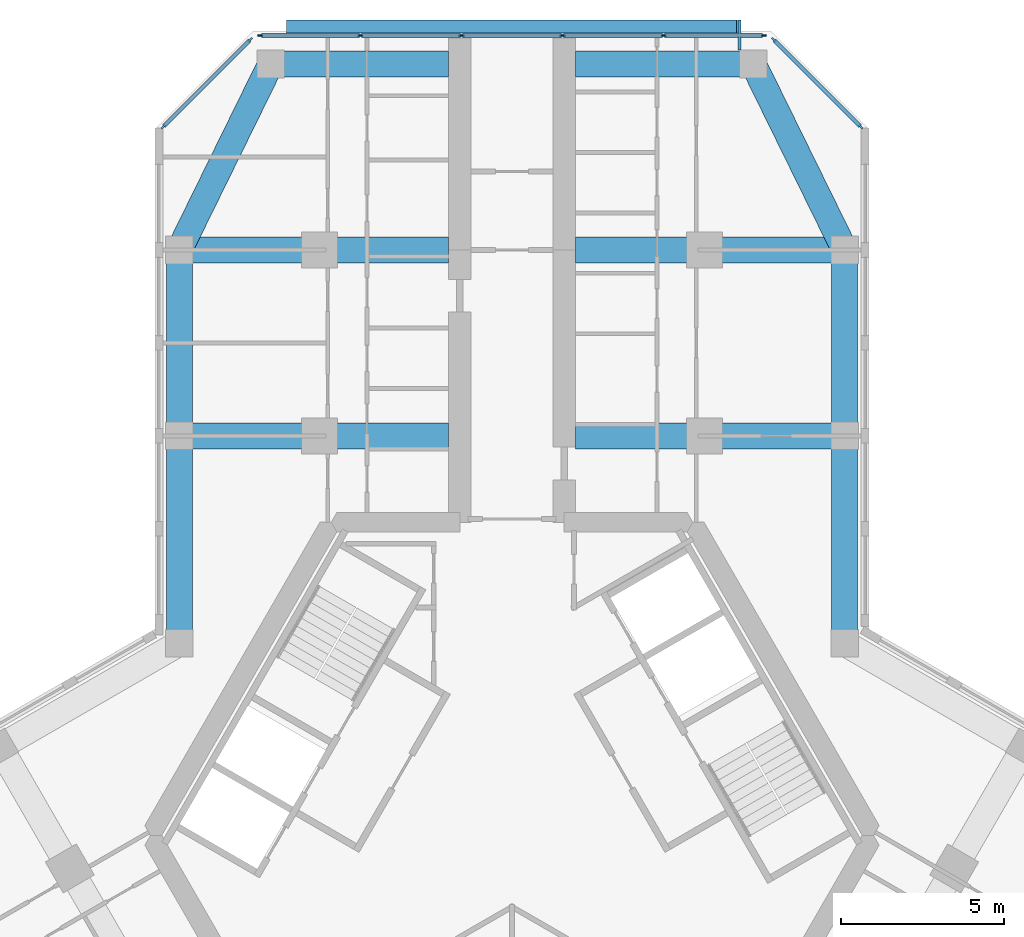
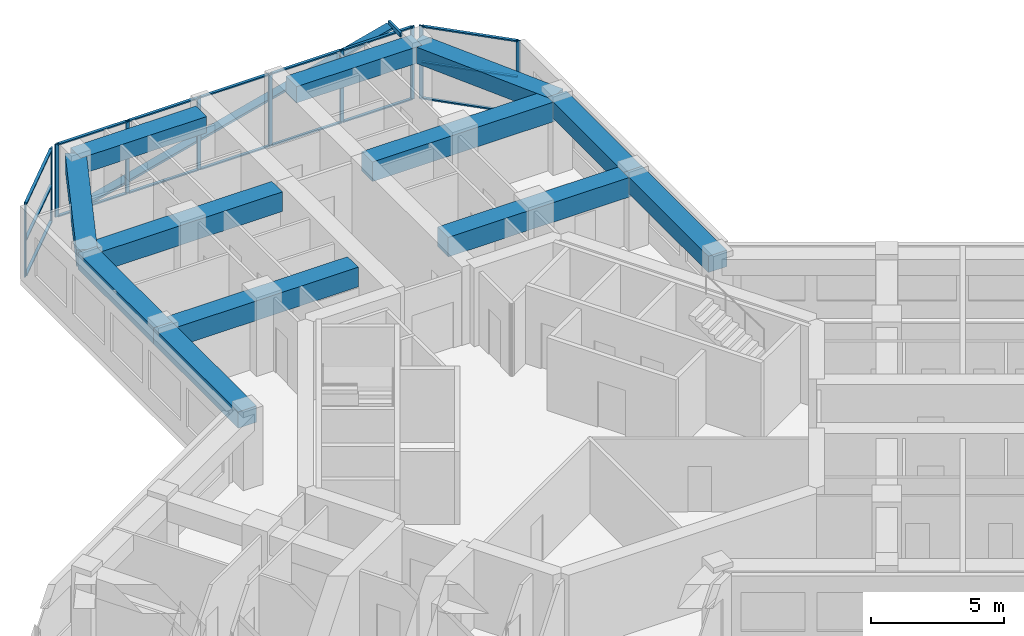
# One storey, part 6 of 16: 28 members, 12 beams, 3 elements without a shape of their own.
"""IFC4 building model written with IfcOpenShell, lengths in metres."""

import ifcopenshell
import ifcopenshell.guid

model = None  # the IFC model being written
_history = None  # IfcOwnerHistory: only IFC2X3 demands one
_inside = {}  # id of a spatial element -> (the spatial element, [elements in it])
_under = {}  # id of a project, library or spatial element -> (it, [spatial elements below it])
_declared = {}  # id of a project -> (the project, [libraries it declares])
_typed = {}  # id of a type object -> (the type object, [elements of that type])
_made_of = {}  # id of a material, layer set ... -> (it, [elements and type objects made of it])


def new_model(schema):
    """Start an empty IFC model of exactly this schema.

    Asked for "IFC4X3", IfcOpenShell would pick the latest addendum, in which some entities
    have other attributes; the version numbers below select the first issue.
    IFC2X3 requires an IfcOwnerHistory on every rooted entity: one is made here for all.
    """
    global model, _history
    if schema == "IFC4X3":
        model = ifcopenshell.file(schema_version=(4, 3, 0, 0))
    else:
        model = ifcopenshell.file(schema=schema)
    _inside.clear()
    _under.clear()
    _declared.clear()
    _typed.clear()
    _made_of.clear()
    _history = None
    if model.schema == "IFC2X3":
        org = make("IfcOrganization", Name="unknown")
        user = make(
            "IfcPersonAndOrganization",
            ThePerson=make("IfcPerson", FamilyName="unknown"),
            TheOrganization=org,
        )
        app = make(
            "IfcApplication",
            ApplicationDeveloper=org,
            Version="unknown",
            ApplicationFullName="unknown",
            ApplicationIdentifier="unknown",
        )
        _history = make(
            "IfcOwnerHistory",
            OwningUser=user,
            OwningApplication=app,
            ChangeAction="ADDED",
            CreationDate=0,
        )
    return model


def make(cls, **values):
    """One entity of the class cls with the attributes given. An attribute that is None is left unset."""
    return model.create_entity(
        cls, **{name: value for name, value in values.items() if value is not None}
    )


def rooted(cls, **values):
    """An entity with a GlobalId (a new one), such as an element, a storey or a relation."""
    return make(cls, GlobalId=ifcopenshell.guid.new(), OwnerHistory=_history, **values)


def si_unit(unit_type, name, prefix=None):
    """IfcSIUnit, for example si_unit("LENGTHUNIT", "METRE", prefix="MILLI")."""
    return make("IfcSIUnit", UnitType=unit_type, Prefix=prefix, Name=name)


def assignment(units):
    """IfcUnitAssignment: the units of a project."""
    return None if units is None else make("IfcUnitAssignment", Units=units)


def point(xyz):
    """IfcCartesianPoint."""
    return None if xyz is None else make("IfcCartesianPoint", Coordinates=xyz)


def direction(xyz):
    """IfcDirection."""
    return None if xyz is None else make("IfcDirection", DirectionRatios=xyz)


def frame(location, z_axis=None, x_axis=None):
    """IfcAxis2Placement3D, a coordinate frame: its origin and axes. An axis left out is left unset."""
    return make(
        "IfcAxis2Placement3D",
        Location=point(location),
        Axis=direction(z_axis),
        RefDirection=direction(x_axis),
    )


def frame_2d(location, x_axis=None):
    """IfcAxis2Placement2D, a coordinate frame in the plane: its origin and x axis."""
    return make(
        "IfcAxis2Placement2D", Location=point(location), RefDirection=direction(x_axis)
    )


def origin():
    """The frame at (0, 0, 0) with its axes left unset."""
    return frame((0.0, 0.0, 0.0))


def origin_2d():
    """The frame at (0, 0) in the plane with its x axis left unset."""
    return frame_2d((0.0, 0.0))


def place(relative_to, where):
    """IfcLocalPlacement: puts the frame where relative to a parent placement (None: the world)."""
    return make(
        "IfcLocalPlacement", PlacementRelTo=relative_to, RelativePlacement=where
    )


def context(
    kind, dimensions, precision=None, world=None, true_north=None, identifier=None
):
    """IfcGeometricRepresentationContext, for example the 3D "Model" context."""
    return make(
        "IfcGeometricRepresentationContext",
        ContextIdentifier=identifier,
        ContextType=kind,
        CoordinateSpaceDimension=dimensions,
        Precision=precision,
        WorldCoordinateSystem=world,
        TrueNorth=true_north,
    )


def subcontext(parent, identifier, kind, view, scale=None):
    """IfcGeometricRepresentationSubContext, for example "Body" below "Model"."""
    return make(
        "IfcGeometricRepresentationSubContext",
        ContextIdentifier=identifier,
        ContextType=kind,
        ParentContext=parent,
        TargetScale=scale,
        TargetView=view,
    )


def project(units=None, contexts=None):
    """IfcProject with its units and contexts."""
    return rooted(
        "IfcProject",
        Name="project",
        RepresentationContexts=contexts,
        UnitsInContext=assignment(units),
    )


def spatial(cls, under=None, at=None, **own):
    """A site, building, storey or space (cls), placed at a placement, below another one or the project."""
    s = rooted(cls, ObjectPlacement=at, **own)
    if under is not None:
        _under.setdefault(under.id(), (under, []))[1].append(s)
    return s


def profile(cls, at=None, kind="AREA", **sizes):
    """A parametric profile (cls). Its sizes go by their IFC names, for example OverallWidth=200.0."""
    return make(cls, ProfileType=kind, Position=at, **sizes)


def rectangle(**sizes):
    """IfcRectangleProfileDef."""
    return profile("IfcRectangleProfileDef", **sizes)


def hollow_rectangle(**sizes):
    """IfcRectangleHollowProfileDef."""
    return profile("IfcRectangleHollowProfileDef", **sizes)


def extrude(swept, where, along, depth):
    """IfcExtrudedAreaSolid: the profile swept, set in the frame where, extruded along a direction by depth."""
    return make(
        "IfcExtrudedAreaSolid",
        SweptArea=swept,
        Position=where,
        ExtrudedDirection=direction(along),
        Depth=depth,
    )


def shape(context_of_items, identifier, shape_type, items):
    """IfcShapeRepresentation: the items that make up one representation, for example the "Body"."""
    return make(
        "IfcShapeRepresentation",
        ContextOfItems=context_of_items,
        RepresentationIdentifier=identifier,
        RepresentationType=shape_type,
        Items=items,
    )


def material(Name=None, Category=None):
    """IfcMaterial."""
    return make("IfcMaterial", Name=Name, Category=Category)


def material_profile(
    of_material, cross_section, Name=None, Category=None, Priority=None
):
    """IfcMaterialProfile: a cross section and its material."""
    return make(
        "IfcMaterialProfile",
        Name=Name,
        Material=of_material,
        Profile=cross_section,
        Priority=Priority,
        Category=Category,
    )


def profile_set(profiles, Name=None, composite=None):
    """IfcMaterialProfileSet."""
    return make(
        "IfcMaterialProfileSet",
        Name=Name,
        MaterialProfiles=profiles,
        CompositeProfile=composite,
    )


def made_of(thing, what):
    """Note that an element or type object is made of a material, layer set ...; save() writes the relation."""
    if what is not None:
        _made_of.setdefault(what.id(), (what, []))[1].append(thing)
    return thing


def type_object(cls, material=None, **own):
    """A type object (cls), such as IfcWallType, which elements share."""
    return made_of(rooted(cls, **own), material)


def element(
    cls,
    number,
    at=None,
    inside=None,
    cuts=None,
    type_object=None,
    material=None,
    context=None,
    identifier="Body",
    shape_type=None,
    held_by="IfcProductDefinitionShape",
    body=None,
    shapes=None,
    **own,
):
    """One element of the class cls, such as IfcWall. Its Tag is "e" and its number.

    at: its placement. inside: the storey or other place that contains it. cuts: it is an
    opening in that element (IfcRelVoidsElement). A single representation is given by context,
    identifier, shape_type and body (its items); several are given by shapes. held_by: the class
    of the entity that holds the representations. save() writes the other relations.
    """
    e = rooted(cls, Tag="e%d" % number, ObjectPlacement=at, **own)
    if body is not None:
        shapes = [shape(context, identifier, shape_type, body)]
    if shapes is not None:
        e.Representation = make(held_by, Representations=shapes)
    if inside is not None:
        _inside.setdefault(inside.id(), (inside, []))[1].append(e)
    if cuts is not None:
        rooted(
            "IfcRelVoidsElement", RelatingBuildingElement=cuts, RelatedOpeningElement=e
        )
    if type_object is not None:
        _typed.setdefault(type_object.id(), (type_object, []))[1].append(e)
    return made_of(e, material)


def aggregate(whole, parts):
    """IfcRelAggregates: a whole, such as a stair, and the parts it consists of."""
    return rooted("IfcRelAggregates", RelatingObject=whole, RelatedObjects=parts)


def save(model, path):
    """Write the relations noted so far, then the file.

    IfcRelAggregates (storeys below a building ...), IfcRelContainedInSpatialStructure (elements
    in a storey), IfcRelDefinesByType, IfcRelAssociatesMaterial and IfcRelDeclares: one each for
    every whole, place, type object, material and project.
    """
    for whole, parts in _under.values():
        aggregate(whole, parts)
    for where, things in _inside.values():
        rooted(
            "IfcRelContainedInSpatialStructure",
            RelatedElements=things,
            RelatingStructure=where,
        )
    for kind, things in _typed.values():
        rooted("IfcRelDefinesByType", RelatedObjects=things, RelatingType=kind)
    for what, things in _made_of.values():
        rooted("IfcRelAssociatesMaterial", RelatedObjects=things, RelatingMaterial=what)
    for by, libraries in _declared.values():
        rooted("IfcRelDeclares", RelatingContext=by, RelatedDefinitions=libraries)
    model.write(path)


model = new_model("IFC4")

# Units and contexts
model_context = context("Model", 3, precision=1e-05, world=origin(), true_north=direction((0.0, 1.0)))
body_context = subcontext(model_context, "Body", "Model", "MODEL_VIEW")
ifc_project = project(units=[si_unit("LENGTHUNIT", "METRE"), si_unit("AREAUNIT", "SQUARE_METRE"), si_unit("VOLUMEUNIT", "CUBIC_METRE"), si_unit("PLANEANGLEUNIT", "RADIAN"), si_unit("MASSUNIT", "GRAM", prefix="KILO")], contexts=[model_context])

# Site, building, storey
site_placement = place(None, origin())
site = spatial("IfcSite", under=ifc_project, at=site_placement, CompositionType="ELEMENT")
building_placement = place(site_placement, origin())
building = spatial("IfcBuilding", under=site, at=building_placement, Name="Kosmar Iwan School Tower", CompositionType="ELEMENT")
storey_placement = place(building_placement, frame((0.0, 0.0, 242.39990234375)))
storey = spatial("IfcBuildingStorey", under=building, at=storey_placement, Name="L61", CompositionType="ELEMENT", Elevation=242.39990234375)

# Members
ifc_material_1 = material(Name="Black anodised aluminium", Category="aluminium")
ifc_material_profile_1 = material_profile(ifc_material_1, rectangle(XDim=0.10009765625, YDim=0.39990234375, at=origin_2d()), Name="FIN 100x400")
ifc_profile_set_1 = profile_set([ifc_material_profile_1], Name="Black anodised aluminium")
member_type_1 = type_object("IfcMemberType", Name="Diagonal fin 100x400", PredefinedType="USERDEFINED", material=ifc_profile_set_1)
member_1_placement = place(storey_placement, frame((-6.898193359375, 24.800048828125, -0.14990234375), z_axis=(0.967599450335, 0.0, 0.252490205179), x_axis=(-0.252490205179, 0.0, 0.967599450335)))
element("IfcMember", 1, at=member_1_placement, inside=storey, type_object=member_type_1, Name="Diagonal fin L61-F06", ObjectType="FIN", PredefinedType="USERDEFINED", context=body_context, shape_type="SweptSolid", body=[
    extrude(rectangle(XDim=0.10009765625, YDim=0.39990234375, at=origin_2d()), origin(), (0.0, 0.0, 1.0), 14.25830078125),
])
ifc_material_2 = material(Name="Steel S355", Category="steel")
ifc_material_profile_2 = material_profile(ifc_material_2, hollow_rectangle(XDim=0.10009765625, YDim=0.199951171875, WallThickness=0.008056640625, at=origin_2d()), Name="RHS 200x100x8")
ifc_profile_set_2 = profile_set([ifc_material_profile_2], Name="Steel S355")
member_type_2 = type_object("IfcMemberType", Name="Fin bracket RHS 200x100", PredefinedType="USERDEFINED", material=ifc_profile_set_2)
member_2_placement = place(storey_placement, frame((6.97509765625, 24.074951171875, 3.47509765625), z_axis=(0.0, 1.0, 0.0), x_axis=(-1.0, 0.0, 0.0)))
element("IfcMember", 2, at=member_2_placement, inside=storey, type_object=member_type_2, Name="Fin bracket L62", ObjectType="FIN BRACKET", PredefinedType="USERDEFINED", context=body_context, shape_type="SweptSolid", body=[
    extrude(hollow_rectangle(XDim=0.10009765625, YDim=0.199951171875, WallThickness=0.008056640625, at=origin_2d()), origin(), (0.0, 0.0, 1.0), 0.925048828125),
])

# Curtain wall, members
ifc_material_3 = material(Name="Dark glass in black aluminium frame", Category="aluminium")
curtain_wall_type_1 = type_object("IfcCurtainWallType", Name="Chamfer curtain wall dark glass", PredefinedType="USERDEFINED", material=ifc_material_3)
curtain_wall_1_placement = place(storey_placement, origin())
curtain_wall_1 = element("IfcCurtainWall", 3, at=curtain_wall_1_placement, inside=storey, type_object=curtain_wall_type_1, Name="Curtain wall L61-F05", ObjectType="FACETED CURTAIN WALL", PredefinedType="USERDEFINED")
ifc_material_4 = material(Name="Black anodised aluminium", Category="aluminium")
ifc_material_profile_3 = material_profile(ifc_material_4, rectangle(XDim=0.06005859375, YDim=0.159912109375, at=origin_2d()), Name="MULLION 60x160")
ifc_profile_set_3 = profile_set([ifc_material_profile_3], Name="Black anodised aluminium")
member_type_3 = type_object("IfcMemberType", Name="Mullion 60x160", PredefinedType="MULLION", material=ifc_profile_set_3)
member_3_placement = place(storey_placement, frame((10.69775390625, 21.7255859375, 0.0), z_axis=(0.0, 0.0, 1.0), x_axis=(-0.707106781187, -0.707106781187, 0.0)))
member_3 = element("IfcMember", 4, at=member_3_placement, type_object=member_type_3, Name="CW2 mullion 1", PredefinedType="MULLION", context=body_context, shape_type="SweptSolid", body=[
    extrude(rectangle(XDim=0.06005859375, YDim=0.159912109375, at=origin_2d()), origin(), (0.0, 0.0, 1.0), 3.35009765625),
])
member_4_placement = place(storey_placement, frame((8.025390625, 24.397705078125, 0.0), z_axis=(0.0, 0.0, 1.0), x_axis=(-0.707106781187, -0.707106781187, 0.0)))
member_4 = element("IfcMember", 5, at=member_4_placement, type_object=member_type_3, Name="CW2 mullion 2", PredefinedType="MULLION", context=body_context, shape_type="SweptSolid", body=[
    extrude(rectangle(XDim=0.06005859375, YDim=0.159912109375, at=origin_2d()), origin(), (0.0, 0.0, 1.0), 3.35009765625),
])

ifc_material_5 = material(Name="Dark glass in black aluminium frame", Category="aluminium")
curtain_wall_type_2 = type_object("IfcCurtainWallType", Name="Tower curtain wall dark glass", PredefinedType="USERDEFINED", material=ifc_material_5)
curtain_wall_2_placement = place(storey_placement, origin())
curtain_wall_2 = element("IfcCurtainWall", 6, at=curtain_wall_2_placement, inside=storey, type_object=curtain_wall_type_2, Name="Curtain wall L61-F06", ObjectType="UNITISED CURTAIN WALL", PredefinedType="USERDEFINED")
member_5_placement = place(storey_placement, frame((7.71826171875, 24.52490234375, 0.0), z_axis=(0.0, 0.0, 1.0), x_axis=(0.0, -1.0, 0.0)))
member_5 = element("IfcMember", 7, at=member_5_placement, type_object=member_type_3, Name="CW1 mullion 1", PredefinedType="MULLION", context=body_context, shape_type="SweptSolid", body=[
    extrude(rectangle(XDim=0.06005859375, YDim=0.159912109375, at=origin_2d()), origin(), (0.0, 0.0, 1.0), 3.35009765625),
])
member_6_placement = place(storey_placement, frame((4.64892578125, 24.52490234375, 0.0), z_axis=(0.0, 0.0, 1.0), x_axis=(0.0, -1.0, 0.0)))
member_6 = element("IfcMember", 8, at=member_6_placement, type_object=member_type_3, Name="CW1 mullion 2", PredefinedType="MULLION", context=body_context, shape_type="SweptSolid", body=[
    extrude(rectangle(XDim=0.06005859375, YDim=0.159912109375, at=origin_2d()), origin(), (0.0, 0.0, 1.0), 3.35009765625),
])
member_7_placement = place(storey_placement, frame((1.549560546875, 24.52490234375, 0.0), z_axis=(0.0, 0.0, 1.0), x_axis=(0.0, -1.0, 0.0)))
member_7 = element("IfcMember", 9, at=member_7_placement, type_object=member_type_3, Name="CW1 mullion 3", PredefinedType="MULLION", context=body_context, shape_type="SweptSolid", body=[
    extrude(rectangle(XDim=0.06005859375, YDim=0.159912109375, at=origin_2d()), origin(), (0.0, 0.0, 1.0), 3.35009765625),
])
member_8_placement = place(storey_placement, frame((-1.549560546875, 24.52490234375, 0.0), z_axis=(0.0, 0.0, 1.0), x_axis=(0.0, -1.0, 0.0)))
member_8 = element("IfcMember", 10, at=member_8_placement, type_object=member_type_3, Name="CW1 mullion 4", PredefinedType="MULLION", context=body_context, shape_type="SweptSolid", body=[
    extrude(rectangle(XDim=0.06005859375, YDim=0.159912109375, at=origin_2d()), origin(), (0.0, 0.0, 1.0), 3.35009765625),
])
member_9_placement = place(storey_placement, frame((-4.64892578125, 24.52490234375, 0.0), z_axis=(0.0, 0.0, 1.0), x_axis=(0.0, -1.0, 0.0)))
member_9 = element("IfcMember", 11, at=member_9_placement, type_object=member_type_3, Name="CW1 mullion 5", PredefinedType="MULLION", context=body_context, shape_type="SweptSolid", body=[
    extrude(rectangle(XDim=0.06005859375, YDim=0.159912109375, at=origin_2d()), origin(), (0.0, 0.0, 1.0), 3.35009765625),
])
member_10_placement = place(storey_placement, frame((-7.71826171875, 24.52490234375, 0.0), z_axis=(0.0, 0.0, 1.0), x_axis=(0.0, -1.0, 0.0)))
member_10 = element("IfcMember", 12, at=member_10_placement, type_object=member_type_3, Name="CW1 mullion 6", PredefinedType="MULLION", context=body_context, shape_type="SweptSolid", body=[
    extrude(rectangle(XDim=0.06005859375, YDim=0.159912109375, at=origin_2d()), origin(), (0.0, 0.0, 1.0), 3.35009765625),
])

curtain_wall_3_placement = place(storey_placement, origin())
curtain_wall_3 = element("IfcCurtainWall", 13, at=curtain_wall_3_placement, inside=storey, type_object=curtain_wall_type_1, Name="Curtain wall L61-F07", ObjectType="FACETED CURTAIN WALL", PredefinedType="USERDEFINED")
member_11_placement = place(storey_placement, frame((-8.025390625, 24.397705078125, 0.0), z_axis=(0.0, 0.0, 1.0), x_axis=(0.707106781187, -0.707106781187, 0.0)))
member_11 = element("IfcMember", 14, at=member_11_placement, type_object=member_type_3, Name="CW2 mullion 1", PredefinedType="MULLION", context=body_context, shape_type="SweptSolid", body=[
    extrude(rectangle(XDim=0.06005859375, YDim=0.159912109375, at=origin_2d()), origin(), (0.0, 0.0, 1.0), 3.35009765625),
])
member_12_placement = place(storey_placement, frame((-10.69775390625, 21.7255859375, 0.0), z_axis=(0.0, 0.0, 1.0), x_axis=(0.707106781187, -0.707106781187, 0.0)))
member_12 = element("IfcMember", 15, at=member_12_placement, type_object=member_type_3, Name="CW2 mullion 2", PredefinedType="MULLION", context=body_context, shape_type="SweptSolid", body=[
    extrude(rectangle(XDim=0.06005859375, YDim=0.159912109375, at=origin_2d()), origin(), (0.0, 0.0, 1.0), 3.35009765625),
])

# Beams
ifc_material_6 = material(Name="Concrete C50/60", Category="concrete")
ifc_material_profile_4 = material_profile(ifc_material_6, rectangle(XDim=0.800048828125, YDim=0.75, at=origin_2d()), Name="RC 800x750")
ifc_profile_set_4 = profile_set([ifc_material_profile_4], Name="Concrete C50/60")
beam_type_1 = type_object("IfcBeamType", Name="RC edge beam 800x750", PredefinedType="BEAM", material=ifc_profile_set_4)
beam_1_placement = place(storey_placement, frame((-10.199951171875, 5.888916015625, 2.97509765625), z_axis=(0.0, 1.0, 0.0), x_axis=(-1.0, 0.0, 0.0)))
element("IfcBeam", 16, at=beam_1_placement, inside=storey, type_object=beam_type_1, Name="Edge beam AL1", PredefinedType="BEAM", context=body_context, shape_type="SweptSolid", body=[
    extrude(rectangle(XDim=0.800048828125, YDim=0.75, at=origin_2d()), origin(), (0.0, 0.0, 1.0), 6.361083984375),
])
beam_2_placement = place(storey_placement, frame((-10.199951171875, 12.25, 2.97509765625), z_axis=(0.0, 1.0, 0.0), x_axis=(-1.0, 0.0, 0.0)))
element("IfcBeam", 17, at=beam_2_placement, inside=storey, type_object=beam_type_1, Name="Edge beam AL2", PredefinedType="BEAM", context=body_context, shape_type="SweptSolid", body=[
    extrude(rectangle(XDim=0.800048828125, YDim=0.75, at=origin_2d()), origin(), (0.0, 0.0, 1.0), 5.699951171875),
])
beam_3_placement = place(storey_placement, frame((10.199951171875, 5.888916015625, 2.97509765625), z_axis=(0.0, 1.0, 0.0), x_axis=(-1.0, 0.0, 0.0)))
element("IfcBeam", 18, at=beam_3_placement, inside=storey, type_object=beam_type_1, Name="Edge beam AR1", PredefinedType="BEAM", context=body_context, shape_type="SweptSolid", body=[
    extrude(rectangle(XDim=0.800048828125, YDim=0.75, at=origin_2d()), origin(), (0.0, 0.0, 1.0), 6.361083984375),
])
beam_4_placement = place(storey_placement, frame((10.199951171875, 12.25, 2.97509765625), z_axis=(0.0, 1.0, 0.0), x_axis=(-1.0, 0.0, 0.0)))
element("IfcBeam", 19, at=beam_4_placement, inside=storey, type_object=beam_type_1, Name="Edge beam AR2", PredefinedType="BEAM", context=body_context, shape_type="SweptSolid", body=[
    extrude(rectangle(XDim=0.800048828125, YDim=0.75, at=origin_2d()), origin(), (0.0, 0.0, 1.0), 5.699951171875),
])
ifc_material_7 = material(Name="Concrete C50/60", Category="concrete")
ifc_material_profile_5 = material_profile(ifc_material_7, rectangle(XDim=0.800048828125, YDim=0.75, at=origin_2d()), Name="RC 800x750")
ifc_profile_set_5 = profile_set([ifc_material_profile_5], Name="Concrete C50/60")
beam_type_2 = type_object("IfcBeamType", Name="RC tip beam 800x750", PredefinedType="BEAM", material=ifc_profile_set_5)
beam_5_placement = place(storey_placement, frame((-10.199951171875, 17.949951171875, 2.97509765625), z_axis=(0.440913116462, 0.897549788999, 0.0), x_axis=(-0.897549788999, 0.440913116462, 0.0)))
element("IfcBeam", 20, at=beam_5_placement, inside=storey, type_object=beam_type_2, Name="Tip beam AL", PredefinedType="BEAM", context=body_context, shape_type="SweptSolid", body=[
    extrude(rectangle(XDim=0.800048828125, YDim=0.75, at=origin_2d()), origin(), (0.0, 0.0, 1.0), 6.3505859375),
])
beam_6_placement = place(storey_placement, frame((-7.39990234375, 23.64990234375, 2.97509765625), z_axis=(1.0, 0.0, 0.0), x_axis=(0.0, 1.0, 0.0)))
element("IfcBeam", 21, at=beam_6_placement, inside=storey, type_object=beam_type_2, Name="Tip beam AL to corridor wall", PredefinedType="BEAM", context=body_context, shape_type="SweptSolid", body=[
    extrude(rectangle(XDim=0.800048828125, YDim=0.75, at=origin_2d()), origin(), (0.0, 0.0, 1.0), 5.449951171875),
])
beam_7_placement = place(storey_placement, frame((10.199951171875, 17.949951171875, 2.97509765625), z_axis=(-0.440913116462, 0.897549788999, 0.0), x_axis=(-0.897549788999, -0.440913116462, 0.0)))
element("IfcBeam", 22, at=beam_7_placement, inside=storey, type_object=beam_type_2, Name="Tip beam AR", PredefinedType="BEAM", context=body_context, shape_type="SweptSolid", body=[
    extrude(rectangle(XDim=0.800048828125, YDim=0.75, at=origin_2d()), origin(), (0.0, 0.0, 1.0), 6.3505859375),
])
beam_8_placement = place(storey_placement, frame((7.39990234375, 23.64990234375, 2.97509765625), z_axis=(-1.0, 0.0, 0.0), x_axis=(0.0, -1.0, 0.0)))
element("IfcBeam", 23, at=beam_8_placement, inside=storey, type_object=beam_type_2, Name="Tip beam AR to corridor wall", PredefinedType="BEAM", context=body_context, shape_type="SweptSolid", body=[
    extrude(rectangle(XDim=0.800048828125, YDim=0.75, at=origin_2d()), origin(), (0.0, 0.0, 1.0), 5.449951171875),
])
ifc_material_8 = material(Name="Concrete C50/60", Category="concrete")
ifc_material_profile_6 = material_profile(ifc_material_8, rectangle(XDim=0.800048828125, YDim=0.89990234375, at=origin_2d()), Name="RC 800x900")
ifc_profile_set_6 = profile_set([ifc_material_profile_6], Name="Concrete C50/60")
beam_type_3 = type_object("IfcBeamType", Name="RC transverse beam 800x900", PredefinedType="BEAM", material=ifc_profile_set_6)
for number, where, z_axis, x_axis, name in (
    (24, (-10.199951171875, 12.25, 2.900146484375), (1.0, 0.0, 0.0), (0.0, 1.0, 0.0), "Transverse beam AL1"),
    (25, (-10.199951171875, 17.949951171875, 2.900146484375), (1.0, 0.0, 0.0), (0.0, 1.0, 0.0), "Transverse beam AL2"),
    (26, (10.199951171875, 12.25, 2.900146484375), (-1.0, 0.0, 0.0), (0.0, -1.0, 0.0), "Transverse beam AR1"),
    (27, (10.199951171875, 17.949951171875, 2.900146484375), (-1.0, 0.0, 0.0), (0.0, -1.0, 0.0), "Transverse beam AR2"),
):
    element("IfcBeam", number, at=place(storey_placement, frame(where, z_axis=z_axis, x_axis=x_axis)), inside=storey, type_object=beam_type_3, Name=name, PredefinedType="BEAM", context=body_context, shape_type="SweptSolid", body=[
        extrude(rectangle(XDim=0.800048828125, YDim=0.89990234375, at=origin_2d()), origin(), (0.0, 0.0, 1.0), 8.25),
    ])

# Member
ifc_material_9 = material(Name="Black anodised aluminium", Category="aluminium")
ifc_material_profile_7 = material_profile(ifc_material_9, rectangle(XDim=0.1201171875, YDim=0.06005859375, at=origin_2d()), Name="TRANSOM 60x120")
ifc_profile_set_7 = profile_set([ifc_material_profile_7], Name="Black anodised aluminium")
member_type_4 = type_object("IfcMemberType", Name="Transom 60x120", PredefinedType="USERDEFINED", material=ifc_profile_set_7)
member_13_placement = place(storey_placement, frame((10.676513671875, 21.746826171875, 0.030029296875), z_axis=(-0.707139603466, 0.707073957383, 0.0), x_axis=(-0.707073957383, -0.707139603466, 0.0)))
member_13 = element("IfcMember", 28, at=member_13_placement, type_object=member_type_4, Name="CW2 transom 1.1", ObjectType="TRANSOM", PredefinedType="USERDEFINED", context=body_context, shape_type="SweptSolid", body=[
    extrude(rectangle(XDim=0.1201171875, YDim=0.06005859375, at=origin_2d()), origin(), (0.0, 0.0, 1.0), 3.718994140625),
])

member_14_placement = place(storey_placement, frame((10.676513671875, 21.746826171875, 1.675048828125), z_axis=(-0.707139603466, 0.707073957383, 0.0), x_axis=(-0.707073957383, -0.707139603466, 0.0)))
member_14 = element("IfcMember", 29, at=member_14_placement, type_object=member_type_4, Name="CW2 transom 1.2", ObjectType="TRANSOM", PredefinedType="USERDEFINED", context=body_context, shape_type="SweptSolid", body=[
    extrude(rectangle(XDim=0.1201171875, YDim=0.06005859375, at=origin_2d()), origin(), (0.0, 0.0, 1.0), 3.718994140625),
])

member_15_placement = place(storey_placement, frame((10.676513671875, 21.746826171875, 3.320068359375), z_axis=(-0.707139603466, 0.707073957383, 0.0), x_axis=(-0.707073957383, -0.707139603466, 0.0)))
member_15 = element("IfcMember", 30, at=member_15_placement, type_object=member_type_4, Name="CW2 transom 1.3", ObjectType="TRANSOM", PredefinedType="USERDEFINED", context=body_context, shape_type="SweptSolid", body=[
    extrude(rectangle(XDim=0.1201171875, YDim=0.06005859375, at=origin_2d()), origin(), (0.0, 0.0, 1.0), 3.718994140625),
])

aggregate(curtain_wall_1, [member_3, member_4, member_13, member_14, member_15])

member_16_placement = place(storey_placement, frame((7.688232421875, 24.52490234375, 0.030029296875), z_axis=(-1.0, 0.0, 0.0), x_axis=(0.0, -1.0, 0.0)))
member_16 = element("IfcMember", 31, at=member_16_placement, type_object=member_type_4, Name="CW1 transom 1.1", ObjectType="TRANSOM", PredefinedType="USERDEFINED", context=body_context, shape_type="SweptSolid", body=[
    extrude(rectangle(XDim=0.1201171875, YDim=0.06005859375, at=origin_2d()), origin(), (0.0, 0.0, 1.0), 3.00927734375),
])

member_17_placement = place(storey_placement, frame((7.688232421875, 24.52490234375, 3.320068359375), z_axis=(-1.0, 0.0, 0.0), x_axis=(0.0, -1.0, 0.0)))
member_17 = element("IfcMember", 32, at=member_17_placement, type_object=member_type_4, Name="CW1 transom 1.2", ObjectType="TRANSOM", PredefinedType="USERDEFINED", context=body_context, shape_type="SweptSolid", body=[
    extrude(rectangle(XDim=0.1201171875, YDim=0.06005859375, at=origin_2d()), origin(), (0.0, 0.0, 1.0), 3.00927734375),
])

member_18_placement = place(storey_placement, frame((4.618896484375, 24.52490234375, 0.030029296875), z_axis=(-1.0, 0.0, 0.0), x_axis=(0.0, -1.0, 0.0)))
member_18 = element("IfcMember", 33, at=member_18_placement, type_object=member_type_4, Name="CW1 transom 2.1", ObjectType="TRANSOM", PredefinedType="USERDEFINED", context=body_context, shape_type="SweptSolid", body=[
    extrude(rectangle(XDim=0.1201171875, YDim=0.06005859375, at=origin_2d()), origin(), (0.0, 0.0, 1.0), 3.039306640625),
])

member_19_placement = place(storey_placement, frame((4.618896484375, 24.52490234375, 3.320068359375), z_axis=(-1.0, 0.0, 0.0), x_axis=(0.0, -1.0, 0.0)))
member_19 = element("IfcMember", 34, at=member_19_placement, type_object=member_type_4, Name="CW1 transom 2.2", ObjectType="TRANSOM", PredefinedType="USERDEFINED", context=body_context, shape_type="SweptSolid", body=[
    extrude(rectangle(XDim=0.1201171875, YDim=0.06005859375, at=origin_2d()), origin(), (0.0, 0.0, 1.0), 3.039306640625),
])

member_20_placement = place(storey_placement, frame((1.51953125, 24.52490234375, 0.030029296875), z_axis=(-1.0, 0.0, 0.0), x_axis=(0.0, -1.0, 0.0)))
member_20 = element("IfcMember", 35, at=member_20_placement, type_object=member_type_4, Name="CW1 transom 3.1", ObjectType="TRANSOM", PredefinedType="USERDEFINED", context=body_context, shape_type="SweptSolid", body=[
    extrude(rectangle(XDim=0.1201171875, YDim=0.06005859375, at=origin_2d()), origin(), (0.0, 0.0, 1.0), 3.0390625),
])

member_21_placement = place(storey_placement, frame((1.51953125, 24.52490234375, 3.320068359375), z_axis=(-1.0, 0.0, 0.0), x_axis=(0.0, -1.0, 0.0)))
member_21 = element("IfcMember", 36, at=member_21_placement, type_object=member_type_4, Name="CW1 transom 3.2", ObjectType="TRANSOM", PredefinedType="USERDEFINED", context=body_context, shape_type="SweptSolid", body=[
    extrude(rectangle(XDim=0.1201171875, YDim=0.06005859375, at=origin_2d()), origin(), (0.0, 0.0, 1.0), 3.0390625),
])

member_22_placement = place(storey_placement, frame((-1.57958984375, 24.52490234375, 0.030029296875), z_axis=(-1.0, 0.0, 0.0), x_axis=(0.0, -1.0, 0.0)))
member_22 = element("IfcMember", 37, at=member_22_placement, type_object=member_type_4, Name="CW1 transom 4.1", ObjectType="TRANSOM", PredefinedType="USERDEFINED", context=body_context, shape_type="SweptSolid", body=[
    extrude(rectangle(XDim=0.1201171875, YDim=0.06005859375, at=origin_2d()), origin(), (0.0, 0.0, 1.0), 3.039306640625),
])

member_23_placement = place(storey_placement, frame((-1.57958984375, 24.52490234375, 3.320068359375), z_axis=(-1.0, 0.0, 0.0), x_axis=(0.0, -1.0, 0.0)))
member_23 = element("IfcMember", 38, at=member_23_placement, type_object=member_type_4, Name="CW1 transom 4.2", ObjectType="TRANSOM", PredefinedType="USERDEFINED", context=body_context, shape_type="SweptSolid", body=[
    extrude(rectangle(XDim=0.1201171875, YDim=0.06005859375, at=origin_2d()), origin(), (0.0, 0.0, 1.0), 3.039306640625),
])

member_24_placement = place(storey_placement, frame((-4.678955078125, 24.52490234375, 0.030029296875), z_axis=(-1.0, 0.0, 0.0), x_axis=(0.0, -1.0, 0.0)))
member_24 = element("IfcMember", 39, at=member_24_placement, type_object=member_type_4, Name="CW1 transom 5.1", ObjectType="TRANSOM", PredefinedType="USERDEFINED", context=body_context, shape_type="SweptSolid", body=[
    extrude(rectangle(XDim=0.1201171875, YDim=0.06005859375, at=origin_2d()), origin(), (0.0, 0.0, 1.0), 3.00927734375),
])

member_25_placement = place(storey_placement, frame((-4.678955078125, 24.52490234375, 3.320068359375), z_axis=(-1.0, 0.0, 0.0), x_axis=(0.0, -1.0, 0.0)))
member_25 = element("IfcMember", 40, at=member_25_placement, type_object=member_type_4, Name="CW1 transom 5.2", ObjectType="TRANSOM", PredefinedType="USERDEFINED", context=body_context, shape_type="SweptSolid", body=[
    extrude(rectangle(XDim=0.1201171875, YDim=0.06005859375, at=origin_2d()), origin(), (0.0, 0.0, 1.0), 3.00927734375),
])

aggregate(curtain_wall_2, [member_5, member_6, member_7, member_8, member_9, member_10, member_16, member_17, member_18, member_19, member_20, member_21, member_22, member_23, member_24, member_25])

member_26_placement = place(storey_placement, frame((-8.046630859375, 24.37646484375, 0.030029296875), z_axis=(-0.707139603466, -0.707073957383, 0.0), x_axis=(0.707073957383, -0.707139603466, 0.0)))
member_26 = element("IfcMember", 41, at=member_26_placement, type_object=member_type_4, Name="CW2 transom 1.1", ObjectType="TRANSOM", PredefinedType="USERDEFINED", context=body_context, shape_type="SweptSolid", body=[
    extrude(rectangle(XDim=0.1201171875, YDim=0.06005859375, at=origin_2d()), origin(), (0.0, 0.0, 1.0), 3.718994140625),
])

member_27_placement = place(storey_placement, frame((-8.046630859375, 24.37646484375, 1.675048828125), z_axis=(-0.707139603466, -0.707073957383, 0.0), x_axis=(0.707073957383, -0.707139603466, 0.0)))
member_27 = element("IfcMember", 42, at=member_27_placement, type_object=member_type_4, Name="CW2 transom 1.2", ObjectType="TRANSOM", PredefinedType="USERDEFINED", context=body_context, shape_type="SweptSolid", body=[
    extrude(rectangle(XDim=0.1201171875, YDim=0.06005859375, at=origin_2d()), origin(), (0.0, 0.0, 1.0), 3.718994140625),
])

member_28_placement = place(storey_placement, frame((-8.046630859375, 24.37646484375, 3.320068359375), z_axis=(-0.707139603466, -0.707073957383, 0.0), x_axis=(0.707073957383, -0.707139603466, 0.0)))
member_28 = element("IfcMember", 43, at=member_28_placement, type_object=member_type_4, Name="CW2 transom 1.3", ObjectType="TRANSOM", PredefinedType="USERDEFINED", context=body_context, shape_type="SweptSolid", body=[
    extrude(rectangle(XDim=0.1201171875, YDim=0.06005859375, at=origin_2d()), origin(), (0.0, 0.0, 1.0), 3.718994140625),
])

aggregate(curtain_wall_3, [member_11, member_12, member_26, member_27, member_28])

save(model, "model.ifc")
